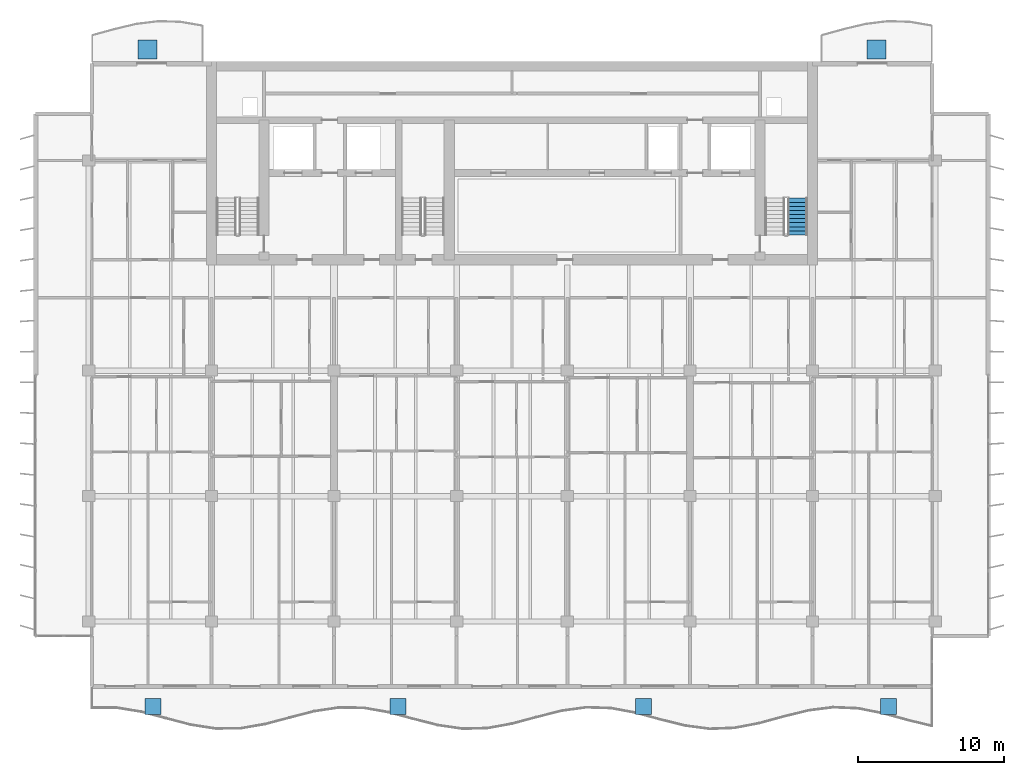
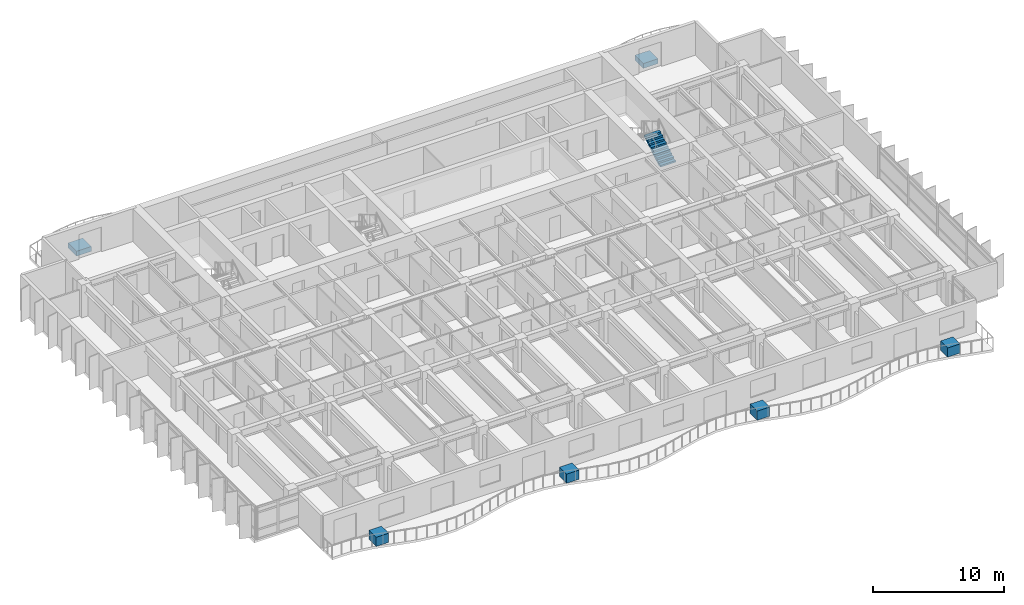
# One storey, part 15 of 19: 6 discrete accessories, 1 stair flight, 1 element without a shape of its own.
"""IFC4 building model written with IfcOpenShell, lengths in metres."""

from ifc_helpers import new_model, si_unit, direction, frame, origin, origin_2d, place, context, subcontext, project, spatial, polyline, rectangle, outline, extrude, material, type_object, element, aggregate, save


model = new_model("IFC4")

# Units and contexts
model_context = context("Model", 3, precision=1e-05, world=origin(), true_north=direction((0.0, 1.0)))
body_context = subcontext(model_context, "Body", "Model", "MODEL_VIEW")
ifc_project = project(units=[si_unit("LENGTHUNIT", "METRE"), si_unit("AREAUNIT", "SQUARE_METRE"), si_unit("VOLUMEUNIT", "CUBIC_METRE"), si_unit("PLANEANGLEUNIT", "RADIAN"), si_unit("MASSUNIT", "GRAM", prefix="KILO")], contexts=[model_context])

# Site, building, storey
site_placement = place(None, origin())
site = spatial("IfcSite", under=ifc_project, at=site_placement, CompositionType="ELEMENT")
building_placement = place(site_placement, origin())
building = spatial("IfcBuilding", under=site, at=building_placement, Name="Caelmar Bay Residences", CompositionType="ELEMENT")
storey_placement = place(building_placement, frame((0.0, 0.0, 214.800048828125)))
storey = spatial("IfcBuildingStorey", under=building, at=storey_placement, Name="L60", CompositionType="ELEMENT", Elevation=214.800048828125)

# Stair, stair flight
ifc_material_1 = material(Name="Concrete f'c 40 MPa (6,000 psi)", Category="concrete")
stair_type = type_object("IfcStairType", Name="ST-TYP-165", PredefinedType="HALF_TURN_STAIR", material=ifc_material_1)
stair_placement = place(storey_placement, origin())
stair = element("IfcStair", 1, at=stair_placement, inside=storey, type_object=stair_type, Name="L60 East Smokeproof Exit Stair ST2", PredefinedType="HALF_TURN_STAIR")
stair_flight_type = type_object("IfcStairFlightType", Name="STF-1350", PredefinedType="STRAIGHT", material=ifc_material_1)
stair_flight_placement = place(storey_placement, frame((58.47509765625, 38.699951171875, 0.0), z_axis=(0.0, 0.0, 1.0), x_axis=(0.0, 1.0, 0.0)))
stair_flight = element("IfcStairFlight", 2, at=stair_flight_placement, type_object=stair_flight_type, Name="ST2 flight 1", NumberOfRisers=10, NumberOfTreads=9, PredefinedType="STRAIGHT", RiserHeight=0.165, TreadLength=0.28, context=body_context, shape_type="SweptSolid", body=[
    extrude(outline(polyline([(0.0, 0.0), (0.0, 0.1650390625), (0.280029296875, 0.1650390625), (0.280029296875, 0.330078125), (0.56005859375, 0.330078125), (0.56005859375, 0.4951171875), (0.840087890625, 0.4951171875), (0.840087890625, 0.659912109375), (1.1201171875, 0.659912109375), (1.1201171875, 0.824951171875), (1.39990234375, 0.824951171875), (1.39990234375, 0.989990234375), (1.679931640625, 0.989990234375), (1.679931640625, 1.155029296875), (1.9599609375, 1.155029296875), (1.9599609375, 1.320068359375), (2.239990234375, 1.320068359375), (2.239990234375, 1.485107421875), (2.52001953125, 1.485107421875), (2.52001953125, 1.64990234375), (2.52001953125, 1.31103515625), (0.295166015625, 0.0), (0.0, 0.0)])), frame((0.0, 0.675048828125, 0.0), z_axis=(0.0, -1.0, 0.0), x_axis=(1.0, 0.0, 0.0)), (0.0, 0.0, 1.0), 1.35009765625),
])
aggregate(stair, [stair_flight])

# Discrete accessories
ifc_material_2 = material(Name="Architectural bronze GRC planter trough with volcanic-lapilli substrate")
discrete_accessory_type_1 = type_object("IfcDiscreteAccessoryType", Name="ACC-PLANTER-1100", PredefinedType="USERDEFINED", material=ifc_material_2)
for number, where, z_axis, x_axis, name in (
    (3, (14.300048828125, 6.3818359375, 0.0), (0.0, 0.0, 1.0), (1.0, 0.0, 0.0), "L60 Balcony Structural Tree Planter 1"),
    (4, (31.10009765625, 6.3818359375, 0.0), (0.0, 0.0, 1.0), (1.0, 0.0, 0.0), "L60 Balcony Structural Tree Planter 2"),
    (5, (47.89990234375, 6.3818359375, 0.0), (0.0, 0.0, 1.0), (1.0, 0.0, 0.0), "L60 Balcony Structural Tree Planter 3"),
    (6, (64.699951171875, 6.3818359375, 0.0), (0.0, 0.0, 1.0), (1.0, 0.0, 0.0), "L60 Balcony Structural Tree Planter 4"),
):
    element("IfcDiscreteAccessory", number, at=place(storey_placement, frame(where, z_axis=z_axis, x_axis=x_axis)), inside=storey, type_object=discrete_accessory_type_1, Name=name, ObjectType="PLANTER", PredefinedType="USERDEFINED", context=body_context, shape_type="SweptSolid", body=[
        extrude(rectangle(XDim=1.10009765625, YDim=1.10009765625, at=origin_2d()), origin(), (0.0, 0.0, 1.0), 0.85009765625),
    ])
ifc_material_3 = material(Name="Precast concrete f'c 40 MPa (6,000 psi)", Category="concrete")
discrete_accessory_type_2 = type_object("IfcDiscreteAccessoryType", Name="STR-PLANTER-KERB-450", PredefinedType="USERDEFINED", material=ifc_material_3)
for number, where, z_axis, x_axis, name in (
    (7, (13.89990234375, 51.39990234375, 0.0), (0.0, 0.0, 1.0), (1.0, 0.0, 0.0), "L60 north_west Structural Tree Planter Kerb"),
    (8, (63.89990234375, 51.39990234375, 0.0), (0.0, 0.0, 1.0), (1.0, 0.0, 0.0), "L60 north_east Structural Tree Planter Kerb"),
):
    element("IfcDiscreteAccessory", number, at=place(storey_placement, frame(where, z_axis=z_axis, x_axis=x_axis)), inside=storey, type_object=discrete_accessory_type_2, Name=name, ObjectType="PLANTER", PredefinedType="USERDEFINED", context=body_context, shape_type="SweptSolid", body=[
        extrude(rectangle(XDim=1.300048828125, YDim=1.300048828125, at=origin_2d()), origin(), (0.0, 0.0, 1.0), 0.449951171875),
    ])

save(model, "model.ifc")
